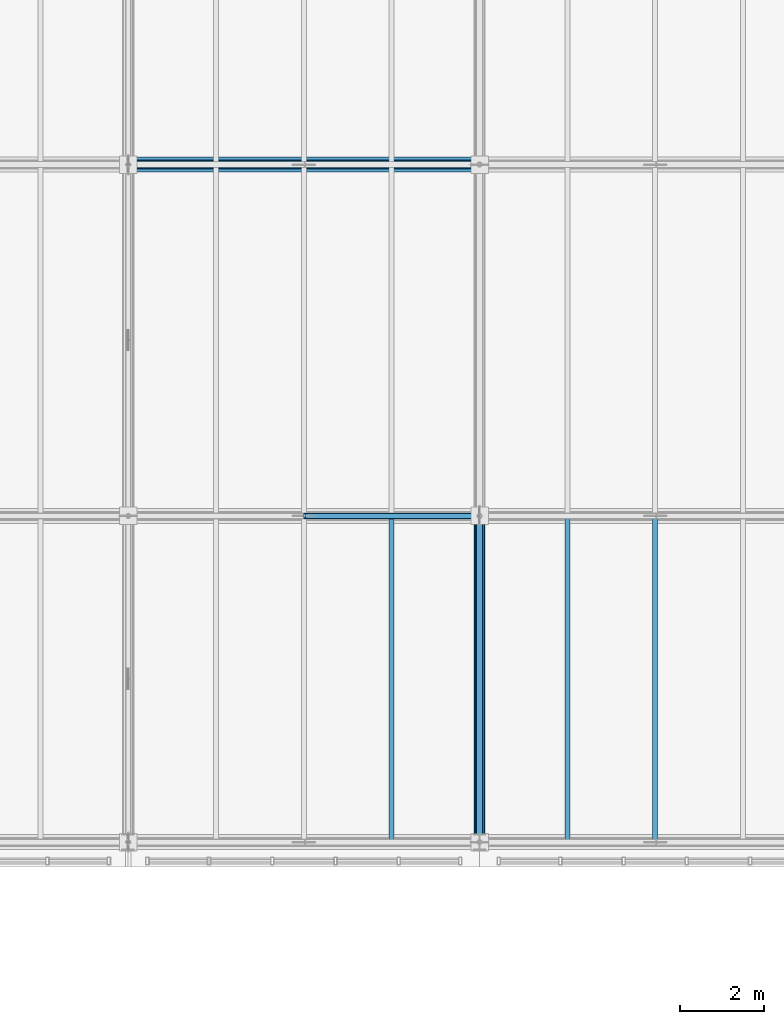
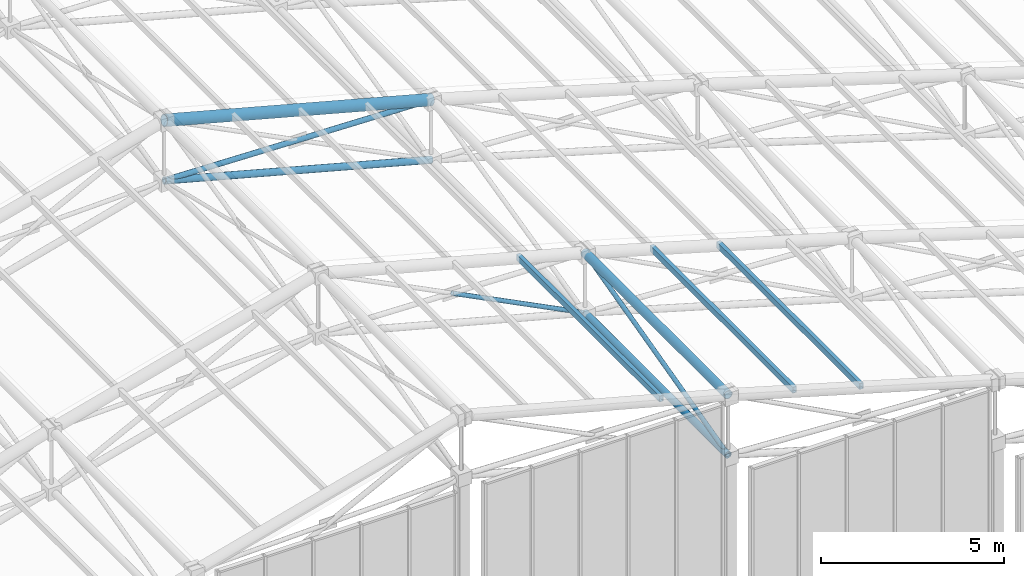
# One storey, part 48 of 144: 10 members.
"""IFC4 building model written with IfcOpenShell, lengths in metres."""

from ifc_helpers import new_model, si_unit, direction, frame, origin, origin_2d, place, context, subcontext, project, spatial, hollow_rectangle, hollow_circle, extrude, material, material_profile, profile_set, type_object, element, save


model = new_model("IFC4")

# Units and contexts
model_context = context("Model", 3, precision=1e-05, world=origin(), true_north=direction((0.0, 1.0)))
body_context = subcontext(model_context, "Body", "Model", "MODEL_VIEW")
ifc_project = project(units=[si_unit("LENGTHUNIT", "METRE"), si_unit("AREAUNIT", "SQUARE_METRE"), si_unit("VOLUMEUNIT", "CUBIC_METRE"), si_unit("PLANEANGLEUNIT", "RADIAN"), si_unit("MASSUNIT", "GRAM", prefix="KILO")], contexts=[model_context])

# Site, building, storey
site_placement = place(None, origin())
site = spatial("IfcSite", under=ifc_project, at=site_placement, CompositionType="ELEMENT")
building_placement = place(site_placement, origin())
building = spatial("IfcBuilding", under=site, at=building_placement, Name="Zayran Congress Hotel", CompositionType="ELEMENT")
storey_placement = place(building_placement, frame((0.0, 0.0, 19.199951171875)))
storey = spatial("IfcBuildingStorey", under=building, at=storey_placement, Name="L04", CompositionType="ELEMENT", Elevation=19.199951171875)

# Members
ifc_material = material(Name="Steel S355", Category="steel")
ifc_material_profile_1 = material_profile(ifc_material, hollow_circle(Radius=0.177734375, WallThickness=0.01611328125, at=origin_2d()), Name="CHS 355.6x16")
ifc_profile_set_1 = profile_set([ifc_material_profile_1], Name="Steel S355")
member_type_1 = type_object("IfcMemberType", Name="TP-SF-TC1", PredefinedType="CHORD", material=ifc_profile_set_1)
member_1_placement = place(storey_placement, frame((50.39990234375, 84.39990234375, 14.60205078125), z_axis=(0.96594917914, 0.0, -0.258731875344), x_axis=(0.0, 1.0, 0.0)))
element("IfcMember", 1, at=member_1_placement, inside=storey, type_object=member_type_1, Name="Space Frame Top Chord X 290", PredefinedType="CHORD", context=body_context, shape_type="SweptSolid", body=[
    extrude(hollow_circle(Radius=0.177734375, WallThickness=0.01611328125, at=origin_2d()), origin(), (0.0, 0.0, 1.0), 8.6962890625),
])
ifc_material_profile_2 = material_profile(ifc_material, hollow_circle(Radius=0.136474609375, WallThickness=0.012451171875, at=origin_2d()), Name="CHS 273x12.5")
ifc_profile_set_2 = profile_set([ifc_material_profile_2], Name="Steel S355")
member_type_2 = type_object("IfcMemberType", Name="TP-SF-TC2", PredefinedType="CHORD", material=ifc_profile_set_2)
member_2_placement = place(storey_placement, frame((58.800048828125, 68.199951171875, 12.35205078125), z_axis=(0.0, 1.0, 0.0), x_axis=(-1.0, 0.0, 0.0)))
element("IfcMember", 2, at=member_2_placement, inside=storey, type_object=member_type_2, Name="Space Frame Top Chord Y 335", PredefinedType="CHORD", context=body_context, shape_type="SweptSolid", body=[
    extrude(hollow_circle(Radius=0.136474609375, WallThickness=0.012451171875, at=origin_2d()), origin(), (0.0, 0.0, 1.0), 7.800048828125),
])
ifc_material_profile_3 = material_profile(ifc_material, hollow_circle(Radius=0.109619140625, WallThickness=0.010009765625, at=origin_2d()), Name="CHS 219.1x10")
ifc_profile_set_3 = profile_set([ifc_material_profile_3], Name="Steel S355")
member_type_3 = type_object("IfcMemberType", Name="TP-SF-BC1", PredefinedType="CHORD", material=ifc_profile_set_3)
member_3_placement = place(storey_placement, frame((50.39990234375, 84.39990234375, 12.60009765625), z_axis=(0.96594917914, 0.0, -0.258731875344), x_axis=(0.0, 1.0, 0.0)))
element("IfcMember", 3, at=member_3_placement, inside=storey, type_object=member_type_3, Name="Space Frame Bottom Chord X 291", PredefinedType="CHORD", context=body_context, shape_type="SweptSolid", body=[
    extrude(hollow_circle(Radius=0.109619140625, WallThickness=0.010009765625, at=origin_2d()), origin(), (0.0, 0.0, 1.0), 8.6962890625),
])
member_4_placement = place(storey_placement, frame((58.800048828125, 68.199951171875, 10.35009765625), z_axis=(0.0, 1.0, 0.0), x_axis=(-1.0, 0.0, 0.0)))
element("IfcMember", 4, at=member_4_placement, inside=storey, type_object=member_type_3, Name="Space Frame Bottom Chord Y 336", PredefinedType="CHORD", context=body_context, shape_type="SweptSolid", body=[
    extrude(hollow_circle(Radius=0.109619140625, WallThickness=0.010009765625, at=origin_2d()), origin(), (0.0, 0.0, 1.0), 7.800048828125),
])
ifc_material_profile_4 = material_profile(ifc_material, hollow_circle(Radius=0.084228515625, WallThickness=0.008056640625, at=origin_2d()), Name="CHS 168.3x8")
ifc_profile_set_4 = profile_set([ifc_material_profile_4], Name="Steel S355")
member_type_4 = type_object("IfcMemberType", Name="TP-SF-DG1", PredefinedType="BRACE", material=ifc_profile_set_4)
member_5_placement = place(storey_placement, frame((50.39990234375, 84.39990234375, 12.60009765625), z_axis=(0.99956430768, 0.0, -0.029516009434), x_axis=(0.0, 1.0, 0.0)))
element("IfcMember", 5, at=member_5_placement, inside=storey, type_object=member_type_4, Name="Space Frame Web Diagonal X 292", PredefinedType="BRACE", context=body_context, shape_type="SweptSolid", body=[
    extrude(hollow_circle(Radius=0.084228515625, WallThickness=0.008056640625, at=origin_2d()), origin(), (0.0, 0.0, 1.0), 8.40380859375),
])
ifc_material_profile_5 = material_profile(ifc_material, hollow_circle(Radius=0.06982421875, WallThickness=0.00634765625, at=origin_2d()), Name="CHS 139.7x6.3")
ifc_profile_set_5 = profile_set([ifc_material_profile_5], Name="Steel S355")
member_type_5 = type_object("IfcMemberType", Name="TP-SF-DG2", PredefinedType="BRACE", material=ifc_profile_set_5)
member_6_placement = place(storey_placement, frame((54.61328125, 76.0, 12.46923828125), z_axis=(0.892220848392, 0.0, -0.451599333142), x_axis=(0.0, 1.0, 0.0)))
element("IfcMember", 6, at=member_6_placement, inside=storey, type_object=member_type_5, Name="Space Frame Counter Diagonal X Lower 44", PredefinedType="BRACE", context=body_context, shape_type="SweptSolid", body=[
    extrude(hollow_circle(Radius=0.06982421875, WallThickness=0.00634765625, at=origin_2d()), origin(), (0.0, 0.0, 1.0), 4.692626953125),
])
member_7_placement = place(storey_placement, frame((58.800048828125, 68.199951171875, 10.35009765625), z_axis=(0.0, 0.968605860949, 0.248601460446), x_axis=(-1.0, 0.0, 0.0)))
element("IfcMember", 7, at=member_7_placement, inside=storey, type_object=member_type_5, Name="Space Frame Web Diagonal Y 337", PredefinedType="BRACE", context=body_context, shape_type="SweptSolid", body=[
    extrude(hollow_circle(Radius=0.06982421875, WallThickness=0.00634765625, at=origin_2d()), origin(), (0.0, 0.0, 1.0), 8.052978515625),
])
ifc_material_profile_6 = material_profile(ifc_material, hollow_rectangle(XDim=0.1201171875, YDim=0.199951171875, WallThickness=0.008056640625, at=origin_2d()), Name="RHS 200x120x8")
ifc_profile_set_6 = profile_set([ifc_material_profile_6], Name="Steel S355")
member_type_6 = type_object("IfcMemberType", Name="TP-PR-01", PredefinedType="PURLIN", material=ifc_profile_set_6)
for number, where, z_axis, x_axis, name in (
    (8, (56.699951171875, 68.199951171875, 12.95654296875), (0.0, 1.0, 0.0), (-1.0, 0.0, 0.0), "MEM-PR-V1-0103"),
    (9, (60.89990234375, 68.199951171875, 11.781494140625), (0.0, 1.0, 0.0), (-1.0, 0.0, 0.0), "MEM-PR-V1-0109"),
    (10, (63.0, 68.199951171875, 11.1689453125), (0.0, 1.0, 0.0), (-1.0, 0.0, 0.0), "MEM-PR-V1-0115"),
):
    element("IfcMember", number, at=place(storey_placement, frame(where, z_axis=z_axis, x_axis=x_axis)), inside=storey, type_object=member_type_6, Name=name, PredefinedType="PURLIN", context=body_context, shape_type="SweptSolid", body=[
        extrude(hollow_rectangle(XDim=0.1201171875, YDim=0.199951171875, WallThickness=0.008056640625, at=origin_2d()), origin(), (0.0, 0.0, 1.0), 7.800048828125),
    ])

save(model, "model.ifc")
